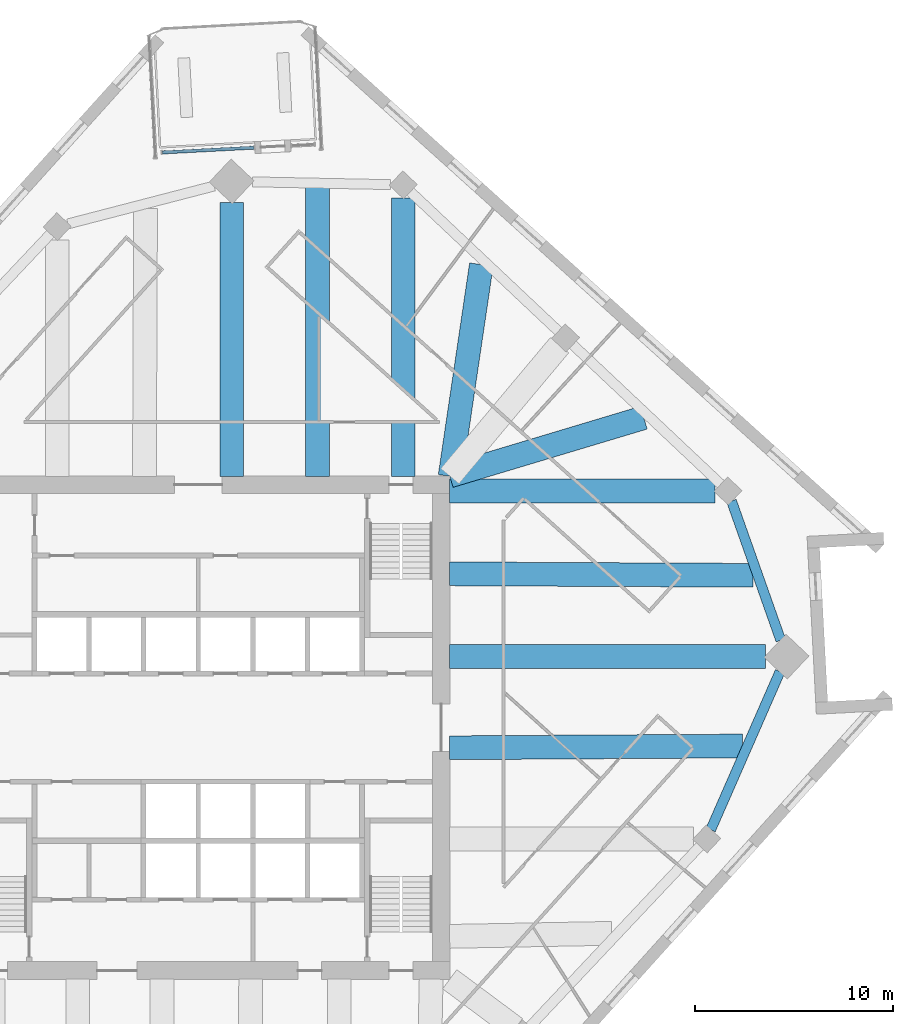
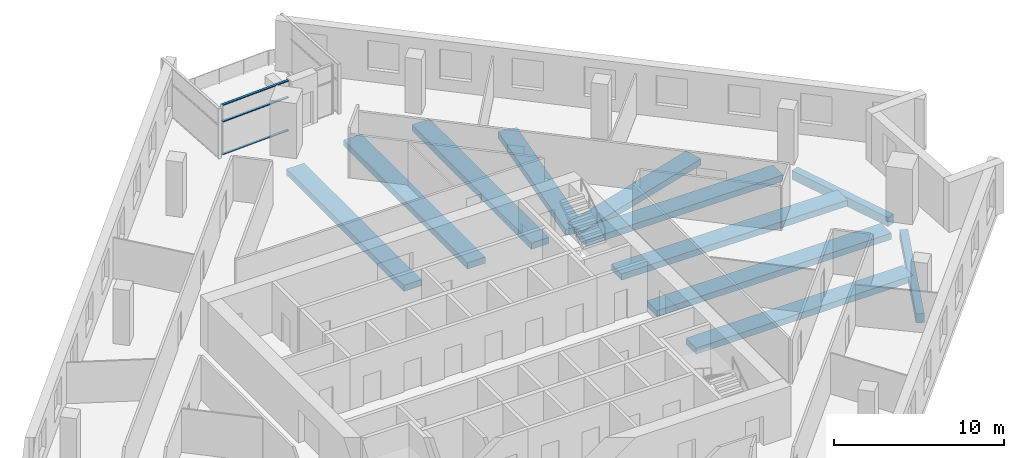
# One storey, part 3 of 12: 11 beams, 3 members, 1 element without a shape of its own.
"""IFC4 building model written with IfcOpenShell, lengths in metres."""

import ifcopenshell
import ifcopenshell.guid

model = None  # the IFC model being written
_history = None  # IfcOwnerHistory: only IFC2X3 demands one
_inside = {}  # id of a spatial element -> (the spatial element, [elements in it])
_under = {}  # id of a project, library or spatial element -> (it, [spatial elements below it])
_declared = {}  # id of a project -> (the project, [libraries it declares])
_typed = {}  # id of a type object -> (the type object, [elements of that type])
_made_of = {}  # id of a material, layer set ... -> (it, [elements and type objects made of it])


def new_model(schema):
    """Start an empty IFC model of exactly this schema.

    Asked for "IFC4X3", IfcOpenShell would pick the latest addendum, in which some entities
    have other attributes; the version numbers below select the first issue.
    IFC2X3 requires an IfcOwnerHistory on every rooted entity: one is made here for all.
    """
    global model, _history
    if schema == "IFC4X3":
        model = ifcopenshell.file(schema_version=(4, 3, 0, 0))
    else:
        model = ifcopenshell.file(schema=schema)
    _inside.clear()
    _under.clear()
    _declared.clear()
    _typed.clear()
    _made_of.clear()
    _history = None
    if model.schema == "IFC2X3":
        org = make("IfcOrganization", Name="unknown")
        user = make(
            "IfcPersonAndOrganization",
            ThePerson=make("IfcPerson", FamilyName="unknown"),
            TheOrganization=org,
        )
        app = make(
            "IfcApplication",
            ApplicationDeveloper=org,
            Version="unknown",
            ApplicationFullName="unknown",
            ApplicationIdentifier="unknown",
        )
        _history = make(
            "IfcOwnerHistory",
            OwningUser=user,
            OwningApplication=app,
            ChangeAction="ADDED",
            CreationDate=0,
        )
    return model


def make(cls, **values):
    """One entity of the class cls with the attributes given. An attribute that is None is left unset."""
    return model.create_entity(
        cls, **{name: value for name, value in values.items() if value is not None}
    )


def rooted(cls, **values):
    """An entity with a GlobalId (a new one), such as an element, a storey or a relation."""
    return make(cls, GlobalId=ifcopenshell.guid.new(), OwnerHistory=_history, **values)


def si_unit(unit_type, name, prefix=None):
    """IfcSIUnit, for example si_unit("LENGTHUNIT", "METRE", prefix="MILLI")."""
    return make("IfcSIUnit", UnitType=unit_type, Prefix=prefix, Name=name)


def assignment(units):
    """IfcUnitAssignment: the units of a project."""
    return None if units is None else make("IfcUnitAssignment", Units=units)


def point(xyz):
    """IfcCartesianPoint."""
    return None if xyz is None else make("IfcCartesianPoint", Coordinates=xyz)


def direction(xyz):
    """IfcDirection."""
    return None if xyz is None else make("IfcDirection", DirectionRatios=xyz)


def frame(location, z_axis=None, x_axis=None):
    """IfcAxis2Placement3D, a coordinate frame: its origin and axes. An axis left out is left unset."""
    return make(
        "IfcAxis2Placement3D",
        Location=point(location),
        Axis=direction(z_axis),
        RefDirection=direction(x_axis),
    )


def frame_2d(location, x_axis=None):
    """IfcAxis2Placement2D, a coordinate frame in the plane: its origin and x axis."""
    return make(
        "IfcAxis2Placement2D", Location=point(location), RefDirection=direction(x_axis)
    )


def origin():
    """The frame at (0, 0, 0) with its axes left unset."""
    return frame((0.0, 0.0, 0.0))


def origin_2d():
    """The frame at (0, 0) in the plane with its x axis left unset."""
    return frame_2d((0.0, 0.0))


def place(relative_to, where):
    """IfcLocalPlacement: puts the frame where relative to a parent placement (None: the world)."""
    return make(
        "IfcLocalPlacement", PlacementRelTo=relative_to, RelativePlacement=where
    )


def context(
    kind, dimensions, precision=None, world=None, true_north=None, identifier=None
):
    """IfcGeometricRepresentationContext, for example the 3D "Model" context."""
    return make(
        "IfcGeometricRepresentationContext",
        ContextIdentifier=identifier,
        ContextType=kind,
        CoordinateSpaceDimension=dimensions,
        Precision=precision,
        WorldCoordinateSystem=world,
        TrueNorth=true_north,
    )


def subcontext(parent, identifier, kind, view, scale=None):
    """IfcGeometricRepresentationSubContext, for example "Body" below "Model"."""
    return make(
        "IfcGeometricRepresentationSubContext",
        ContextIdentifier=identifier,
        ContextType=kind,
        ParentContext=parent,
        TargetScale=scale,
        TargetView=view,
    )


def project(units=None, contexts=None):
    """IfcProject with its units and contexts."""
    return rooted(
        "IfcProject",
        Name="project",
        RepresentationContexts=contexts,
        UnitsInContext=assignment(units),
    )


def spatial(cls, under=None, at=None, **own):
    """A site, building, storey or space (cls), placed at a placement, below another one or the project."""
    s = rooted(cls, ObjectPlacement=at, **own)
    if under is not None:
        _under.setdefault(under.id(), (under, []))[1].append(s)
    return s


def profile(cls, at=None, kind="AREA", **sizes):
    """A parametric profile (cls). Its sizes go by their IFC names, for example OverallWidth=200.0."""
    return make(cls, ProfileType=kind, Position=at, **sizes)


def rectangle(**sizes):
    """IfcRectangleProfileDef."""
    return profile("IfcRectangleProfileDef", **sizes)


def extrude(swept, where, along, depth):
    """IfcExtrudedAreaSolid: the profile swept, set in the frame where, extruded along a direction by depth."""
    return make(
        "IfcExtrudedAreaSolid",
        SweptArea=swept,
        Position=where,
        ExtrudedDirection=direction(along),
        Depth=depth,
    )


def shape(context_of_items, identifier, shape_type, items):
    """IfcShapeRepresentation: the items that make up one representation, for example the "Body"."""
    return make(
        "IfcShapeRepresentation",
        ContextOfItems=context_of_items,
        RepresentationIdentifier=identifier,
        RepresentationType=shape_type,
        Items=items,
    )


def material(Name=None, Category=None):
    """IfcMaterial."""
    return make("IfcMaterial", Name=Name, Category=Category)


def material_profile(
    of_material, cross_section, Name=None, Category=None, Priority=None
):
    """IfcMaterialProfile: a cross section and its material."""
    return make(
        "IfcMaterialProfile",
        Name=Name,
        Material=of_material,
        Profile=cross_section,
        Priority=Priority,
        Category=Category,
    )


def profile_set(profiles, Name=None, composite=None):
    """IfcMaterialProfileSet."""
    return make(
        "IfcMaterialProfileSet",
        Name=Name,
        MaterialProfiles=profiles,
        CompositeProfile=composite,
    )


def made_of(thing, what):
    """Note that an element or type object is made of a material, layer set ...; save() writes the relation."""
    if what is not None:
        _made_of.setdefault(what.id(), (what, []))[1].append(thing)
    return thing


def type_object(cls, material=None, **own):
    """A type object (cls), such as IfcWallType, which elements share."""
    return made_of(rooted(cls, **own), material)


def element(
    cls,
    number,
    at=None,
    inside=None,
    cuts=None,
    type_object=None,
    material=None,
    context=None,
    identifier="Body",
    shape_type=None,
    held_by="IfcProductDefinitionShape",
    body=None,
    shapes=None,
    **own,
):
    """One element of the class cls, such as IfcWall. Its Tag is "e" and its number.

    at: its placement. inside: the storey or other place that contains it. cuts: it is an
    opening in that element (IfcRelVoidsElement). A single representation is given by context,
    identifier, shape_type and body (its items); several are given by shapes. held_by: the class
    of the entity that holds the representations. save() writes the other relations.
    """
    e = rooted(cls, Tag="e%d" % number, ObjectPlacement=at, **own)
    if body is not None:
        shapes = [shape(context, identifier, shape_type, body)]
    if shapes is not None:
        e.Representation = make(held_by, Representations=shapes)
    if inside is not None:
        _inside.setdefault(inside.id(), (inside, []))[1].append(e)
    if cuts is not None:
        rooted(
            "IfcRelVoidsElement", RelatingBuildingElement=cuts, RelatedOpeningElement=e
        )
    if type_object is not None:
        _typed.setdefault(type_object.id(), (type_object, []))[1].append(e)
    return made_of(e, material)


def aggregate(whole, parts):
    """IfcRelAggregates: a whole, such as a stair, and the parts it consists of."""
    return rooted("IfcRelAggregates", RelatingObject=whole, RelatedObjects=parts)


def save(model, path):
    """Write the relations noted so far, then the file.

    IfcRelAggregates (storeys below a building ...), IfcRelContainedInSpatialStructure (elements
    in a storey), IfcRelDefinesByType, IfcRelAssociatesMaterial and IfcRelDeclares: one each for
    every whole, place, type object, material and project.
    """
    for whole, parts in _under.values():
        aggregate(whole, parts)
    for where, things in _inside.values():
        rooted(
            "IfcRelContainedInSpatialStructure",
            RelatedElements=things,
            RelatingStructure=where,
        )
    for kind, things in _typed.values():
        rooted("IfcRelDefinesByType", RelatedObjects=things, RelatingType=kind)
    for what, things in _made_of.values():
        rooted("IfcRelAssociatesMaterial", RelatedObjects=things, RelatingMaterial=what)
    for by, libraries in _declared.values():
        rooted("IfcRelDeclares", RelatingContext=by, RelatedDefinitions=libraries)
    model.write(path)


model = new_model("IFC4")

# Units and contexts
model_context = context("Model", 3, precision=1e-05, world=origin(), true_north=direction((0.0, 1.0)))
body_context = subcontext(model_context, "Body", "Model", "MODEL_VIEW")
ifc_project = project(units=[si_unit("LENGTHUNIT", "METRE"), si_unit("AREAUNIT", "SQUARE_METRE"), si_unit("VOLUMEUNIT", "CUBIC_METRE"), si_unit("PLANEANGLEUNIT", "RADIAN"), si_unit("MASSUNIT", "GRAM", prefix="KILO")], contexts=[model_context])

# Site, building, storey
site_placement = place(None, origin())
site = spatial("IfcSite", under=ifc_project, at=site_placement, CompositionType="ELEMENT")
building_placement = place(site_placement, origin())
building = spatial("IfcBuilding", under=site, at=building_placement, Name="Dilmun Exchange Tower", CompositionType="ELEMENT")
storey_placement = place(building_placement, frame((0.0, 0.0, 217.300048828125)))
storey = spatial("IfcBuildingStorey", under=building, at=storey_placement, Name="L51", CompositionType="ELEMENT", Elevation=217.300048828125)

# Curtain wall, members
ifc_material_1 = material(Name="Anodised aluminium and clear glass", Category="aluminium")
curtain_wall_type = type_object("IfcCurtainWallType", Name="Garden corner glazing", PredefinedType="NOTDEFINED", material=ifc_material_1)
curtain_wall_placement = place(storey_placement, origin())
curtain_wall = element("IfcCurtainWall", 1, at=curtain_wall_placement, inside=storey, type_object=curtain_wall_type, Name="Garden corner glazing run GC2.3", PredefinedType="NOTDEFINED")
ifc_material_2 = material(Name="Anodised aluminium", Category="aluminium")
ifc_material_profile_1 = material_profile(ifc_material_2, rectangle(XDim=0.159912109375, YDim=0.06005859375, at=origin_2d()), Name="AL 60x160")
ifc_profile_set_1 = profile_set([ifc_material_profile_1], Name="Anodised aluminium")
member_type = type_object("IfcMemberType", Name="Garden corner glazing transom 60 x 160", PredefinedType="USERDEFINED", material=ifc_profile_set_1)
member_1_placement = place(storey_placement, frame((2.799072265625, 29.241943359375, 0.030029296875), z_axis=(-0.998630066689, -0.052325805336, 0.0), x_axis=(0.052325805336, -0.998630066689, 0.0)))
member_1 = element("IfcMember", 2, at=member_1_placement, type_object=member_type, Name="GC2.3 transom 1.1", ObjectType="TRANSOM", PredefinedType="USERDEFINED", context=body_context, shape_type="SweptSolid", body=[
    extrude(rectangle(XDim=0.159912109375, YDim=0.06005859375, at=origin_2d()), origin(), (0.0, 0.0, 1.0), 4.619140625),
])
member_2_placement = place(storey_placement, frame((2.799072265625, 29.241943359375, 2.39990234375), z_axis=(-0.998630066689, -0.052325805336, 0.0), x_axis=(0.052325805336, -0.998630066689, 0.0)))
member_2 = element("IfcMember", 3, at=member_2_placement, type_object=member_type, Name="GC2.3 transom 1.2", ObjectType="TRANSOM", PredefinedType="USERDEFINED", context=body_context, shape_type="SweptSolid", body=[
    extrude(rectangle(XDim=0.159912109375, YDim=0.06005859375, at=origin_2d()), origin(), (0.0, 0.0, 1.0), 4.619140625),
])
member_3_placement = place(storey_placement, frame((2.799072265625, 29.241943359375, 3.58984375), z_axis=(-0.998630066689, -0.052325805336, 0.0), x_axis=(0.052325805336, -0.998630066689, 0.0)))
member_3 = element("IfcMember", 4, at=member_3_placement, type_object=member_type, Name="GC2.3 transom 1.3", ObjectType="TRANSOM", PredefinedType="USERDEFINED", context=body_context, shape_type="SweptSolid", body=[
    extrude(rectangle(XDim=0.159912109375, YDim=0.06005859375, at=origin_2d()), origin(), (0.0, 0.0, 1.0), 4.619140625),
])
aggregate(curtain_wall, [member_1, member_2, member_3])

# Beams
ifc_material_3 = material(Name="Concrete C40/50", Category="concrete")
ifc_material_profile_2 = material_profile(ifc_material_3, rectangle(XDim=1.199951171875, YDim=0.449951171875, at=origin_2d()), Name="1200 x 450")
ifc_profile_set_2 = profile_set([ifc_material_profile_2], Name="Concrete C40/50")
beam_type_1 = type_object("IfcBeamType", Name="RC band beam 1200 x 450 C40/50", PredefinedType="BEAM", material=ifc_profile_set_2)
beam_1_placement = place(storey_placement, frame((1.68505859375, 26.465576171875, -0.705078125), z_axis=(0.0, -1.0, 0.0), x_axis=(1.0, 0.0, 0.0)))
element("IfcBeam", 5, at=beam_1_placement, inside=storey, type_object=beam_type_1, Name="Band beam 1", PredefinedType="BEAM", context=body_context, shape_type="SweptSolid", body=[
    extrude(rectangle(XDim=1.199951171875, YDim=0.449951171875, at=origin_2d()), origin(), (0.0, 0.0, 1.0), 13.79248046875),
])
beam_2_placement = place(storey_placement, frame((28.586669921875, 3.58203125, -0.705078125), z_axis=(-1.0, 0.0, 0.0), x_axis=(0.0, -1.0, 0.0)))
element("IfcBeam", 6, at=beam_2_placement, inside=storey, type_object=beam_type_1, Name="Band beam 13", PredefinedType="BEAM", context=body_context, shape_type="SweptSolid", body=[
    extrude(rectangle(XDim=1.199951171875, YDim=0.449951171875, at=origin_2d()), origin(), (0.0, 0.0, 1.0), 15.91357421875),
])
beam_3_placement = place(storey_placement, frame((26.0458984375, 11.930908203125, -0.705078125), z_axis=(-1.0, 0.0, 0.0), x_axis=(0.0, -1.0, 0.0)))
element("IfcBeam", 7, at=beam_3_placement, inside=storey, type_object=beam_type_1, Name="Band beam 14", PredefinedType="BEAM", context=body_context, shape_type="SweptSolid", body=[
    extrude(rectangle(XDim=1.199951171875, YDim=0.449951171875, at=origin_2d()), origin(), (0.0, 0.0, 1.0), 13.372802734375),
])
beam_4_placement = place(storey_placement, frame((10.3330078125, 26.703857421875, -0.705078125), z_axis=(0.0, -1.0, 0.0), x_axis=(1.0, 0.0, 0.0)))
element("IfcBeam", 8, at=beam_4_placement, inside=storey, type_object=beam_type_1, Name="Band beam 16", PredefinedType="BEAM", context=body_context, shape_type="SweptSolid", body=[
    extrude(rectangle(XDim=1.199951171875, YDim=0.449951171875, at=origin_2d()), origin(), (0.0, 0.0, 1.0), 14.03076171875),
])
beam_5_placement = place(storey_placement, frame((27.441650390625, -0.924072265625, -0.60498046875), z_axis=(-0.999981696912, -0.006050276087, 0.0), x_axis=(0.006050276087, -0.999981696912, 0.0)))
element("IfcBeam", 9, at=beam_5_placement, inside=storey, type_object=beam_type_1, Name="Band beam 28", PredefinedType="BEAM", context=body_context, shape_type="SweptSolid", body=[
    extrude(rectangle(XDim=1.199951171875, YDim=0.449951171875, at=origin_2d()), origin(), (0.0, 0.0, 1.0), 14.768798828125),
])
beam_6_placement = place(storey_placement, frame((27.972412109375, 7.68212890625, -0.60498046875), z_axis=(-0.99998815601, 0.004867015408, 0.0), x_axis=(-0.004867015408, -0.99998815601, 0.0)))
element("IfcBeam", 10, at=beam_6_placement, inside=storey, type_object=beam_type_1, Name="Band beam 29", PredefinedType="BEAM", context=body_context, shape_type="SweptSolid", body=[
    extrude(rectangle(XDim=1.199951171875, YDim=0.449951171875, at=origin_2d()), origin(), (0.0, 0.0, 1.0), 15.299560546875),
])
beam_7_placement = place(storey_placement, frame((22.4599609375, 15.626708984375, -0.60498046875), z_axis=(-0.957849959988, -0.287268957862, 0.0), x_axis=(0.287268957862, -0.957849959988, 0.0)))
element("IfcBeam", 11, at=beam_7_placement, inside=storey, type_object=beam_type_1, Name="Band beam 30", PredefinedType="BEAM", context=body_context, shape_type="SweptSolid", body=[
    extrude(rectangle(XDim=1.199951171875, YDim=0.449951171875, at=origin_2d()), origin(), (0.0, 0.0, 1.0), 10.21630859375),
])
beam_8_placement = place(storey_placement, frame((14.2734375, 23.34326171875, -0.60498046875), z_axis=(-0.146268101323, -0.989244986106, 0.0), x_axis=(0.989244986106, -0.146268101323, 0.0)))
element("IfcBeam", 12, at=beam_8_placement, inside=storey, type_object=beam_type_1, Name="Band beam 31", PredefinedType="BEAM", context=body_context, shape_type="SweptSolid", body=[
    extrude(rectangle(XDim=1.199951171875, YDim=0.449951171875, at=origin_2d()), origin(), (0.0, 0.0, 1.0), 10.785888671875),
])
beam_9_placement = place(storey_placement, frame((6.00439453125, 27.22802734375, -0.60498046875), z_axis=(0.000318701025, -0.999999949215, 0.0), x_axis=(0.999999949215, 0.000318701025, 0.0)))
element("IfcBeam", 13, at=beam_9_placement, inside=storey, type_object=beam_type_1, Name="Band beam 32", PredefinedType="BEAM", context=body_context, shape_type="SweptSolid", body=[
    extrude(rectangle(XDim=1.199951171875, YDim=0.449951171875, at=origin_2d()), origin(), (0.0, 0.0, 1.0), 14.554931640625),
])
ifc_material_profile_3 = material_profile(ifc_material_3, rectangle(XDim=0.5, YDim=0.64990234375, at=origin_2d()), Name="500 x 650")
ifc_profile_set_3 = profile_set([ifc_material_profile_3], Name="Concrete C40/50")
beam_type_2 = type_object("IfcBeamType", Name="RC ring beam 500 x 650 C40/50", PredefinedType="SPANDREL", material=ifc_profile_set_3)
beam_10_placement = place(storey_placement, frame((25.835205078125, -5.1474609375, -0.705078125), z_axis=(0.401239440722, 0.915973204416, 0.0), x_axis=(-0.915973204416, 0.401239440722, 0.0)))
element("IfcBeam", 14, at=beam_10_placement, inside=storey, type_object=beam_type_2, Name="Ring beam 12", PredefinedType="SPANDREL", context=body_context, shape_type="SweptSolid", body=[
    extrude(rectangle(XDim=0.5, YDim=0.64990234375, at=origin_2d()), origin(), (0.0, 0.0, 1.0), 8.707763671875),
])
beam_11_placement = place(storey_placement, frame((29.367919921875, 4.404541015625, -0.705078125), z_axis=(-0.333423578623, 0.942777130195, 0.0), x_axis=(-0.942777130195, -0.333423578623, 0.0)))
element("IfcBeam", 15, at=beam_11_placement, inside=storey, type_object=beam_type_2, Name="Ring beam 13", PredefinedType="SPANDREL", context=body_context, shape_type="SweptSolid", body=[
    extrude(rectangle(XDim=0.5, YDim=0.64990234375, at=origin_2d()), origin(), (0.0, 0.0, 1.0), 7.4482421875),
])

save(model, "model.ifc")
